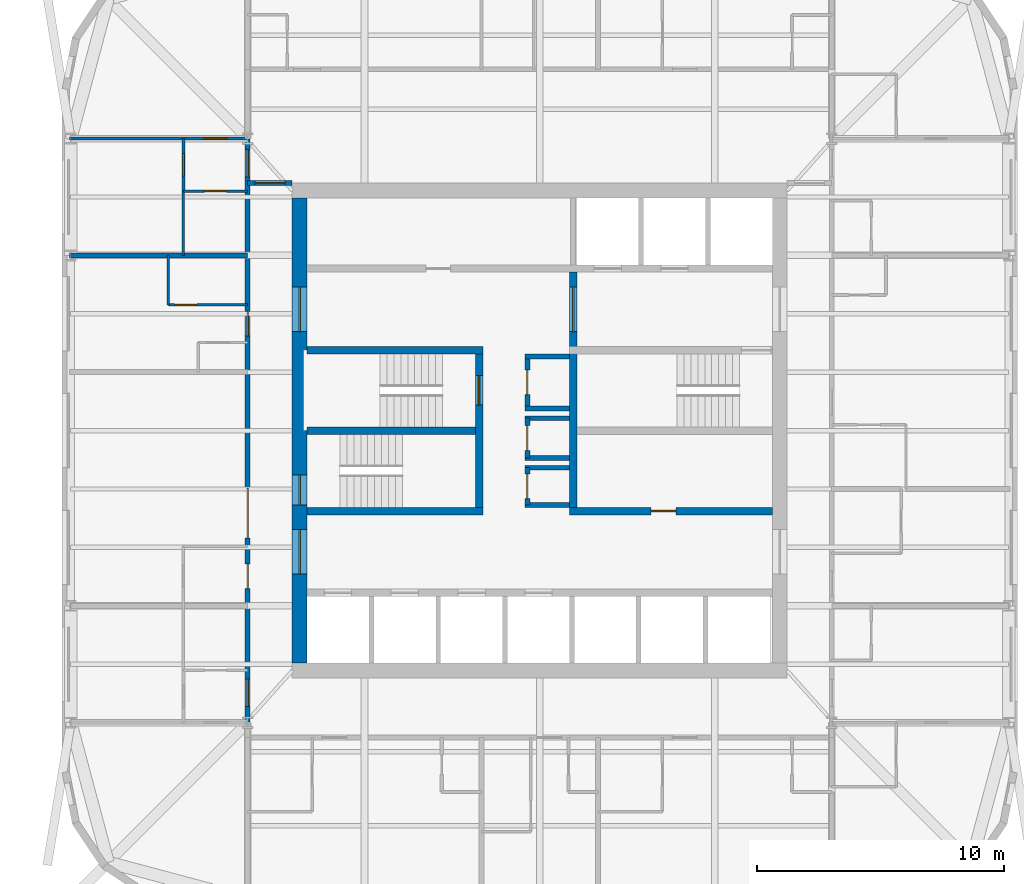
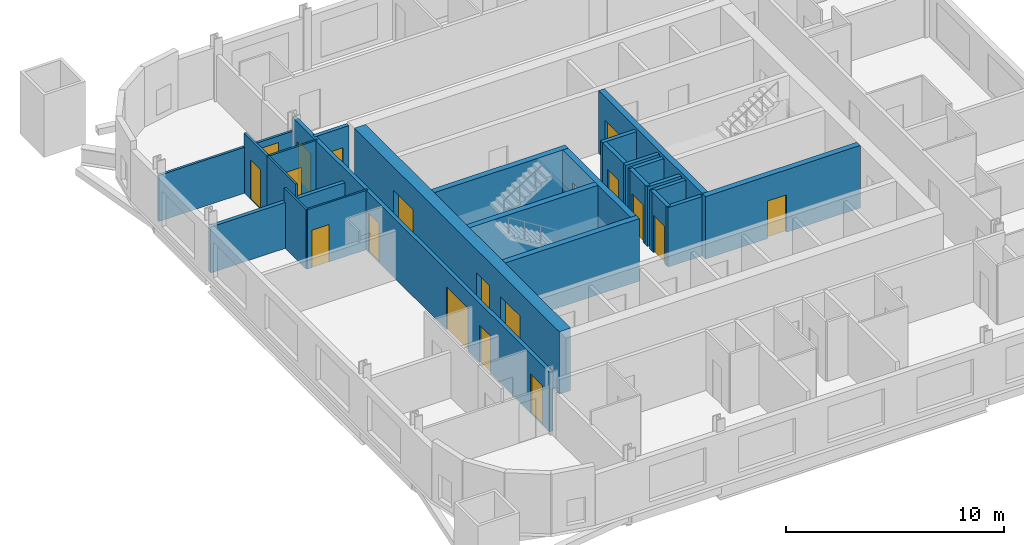
# One storey, part 4 of 8: 25 walls, 19 doors, 19 openings.
"""IFC4 building model written with IfcOpenShell, lengths in metres."""

from ifc_helpers import new_model, si_unit, direction, frame, frame_2d, origin, place, context, subcontext, project, spatial, rectangle, extrude, material, layer, layer_set, type_object, element, fill, save


model = new_model("IFC4")

# Units and contexts
model_context = context("Model", 3, precision=1e-05, world=origin(), true_north=direction((0.0, 1.0)))
body_context = subcontext(model_context, "Body", "Model", "MODEL_VIEW")
ifc_project = project(units=[si_unit("LENGTHUNIT", "METRE"), si_unit("AREAUNIT", "SQUARE_METRE"), si_unit("VOLUMEUNIT", "CUBIC_METRE"), si_unit("PLANEANGLEUNIT", "RADIAN"), si_unit("MASSUNIT", "GRAM", prefix="KILO")], contexts=[model_context])

# Site, building, storey
site_placement = place(None, origin())
site = spatial("IfcSite", under=ifc_project, at=site_placement, CompositionType="ELEMENT")
building_placement = place(site_placement, origin())
building = spatial("IfcBuilding", under=site, at=building_placement, Name="Turquesa Mirador Hotel Tower", CompositionType="ELEMENT")
storey_placement = place(building_placement, frame((0.0, 0.0, 165.300048828125)))
storey = spatial("IfcBuildingStorey", under=building, at=storey_placement, Name="L44", CompositionType="ELEMENT", Elevation=165.300048828125)

# Wall, opening, door
ifc_material_1 = material(Name="Gypsum board on steel studs", Category="steel")
ifc_layer_1 = layer(ifc_material_1, 0.10009765625)
ifc_layer_set_1 = layer_set([ifc_layer_1], Name="BATHROOM WALL 100")
wall_type_1 = type_object("IfcWallType", Name="BATHROOM WALL 100", PredefinedType="PARTITIONING", material=ifc_layer_set_1)
wall_1_placement = place(storey_placement, frame((40.0, 50.080078125, 0.0), z_axis=(0.0, 0.0, 1.0), x_axis=(1.0, 0.0, 0.0)))
wall_1 = element("IfcWall", 1, at=wall_1_placement, inside=storey, type_object=wall_type_1, Name="Partition L44 033", PredefinedType="PARTITIONING", context=body_context, shape_type="SweptSolid", body=[
    extrude(rectangle(XDim=3.199951171875, YDim=0.10009765625, at=frame_2d((1.60009765625, 0.0))), origin(), (0.0, 0.0, 1.0), 3.329833984375),
])
opening_1_placement = place(wall_1_placement, frame((0.25, 0.0, 0.0)))
opening_1 = element("IfcOpeningElement", 2, at=opening_1_placement, cuts=wall_1, Name="Opening D02", PredefinedType="OPENING", context=body_context, shape_type="SweptSolid", body=[
    extrude(rectangle(XDim=0.89990234375, YDim=2.10009765625, at=frame_2d((0.449951171875, 1.050048828125))), frame((0.0, 0.06005859375, 0.0), z_axis=(0.0, -1.0, 0.0), x_axis=(1.0, 0.0, 0.0)), (0.0, 0.0, 1.0), 0.1201171875),
])
ifc_material_2 = material(Name="Timber veneered door", Category="wood")
door_type_1 = type_object("IfcDoorType", Name="DOOR 900X2100 EN-SUITE", OperationType="SINGLE_SWING_RIGHT", PredefinedType="DOOR", material=ifc_material_2)
door_1_placement = place(opening_1_placement, origin())
door_1 = element("IfcDoor", 3, at=door_1_placement, inside=storey, type_object=door_type_1, Name="Door 4408B", OperationType="SINGLE_SWING_RIGHT", OverallHeight=2.10009765625, OverallWidth=0.89990234375, PredefinedType="DOOR", context=body_context, shape_type="SweptSolid", body=[
    extrude(rectangle(XDim=0.89990234375, YDim=2.10009765625, at=frame_2d((0.449951171875, 1.050048828125))), frame((0.0, 0.02490234375, 0.0), z_axis=(0.0, -1.0, 0.0), x_axis=(1.0, 0.0, 0.0)), (0.0, 0.0, 1.0), 0.050048828125),
])
fill(opening_1, door_1)

wall_2_placement = place(storey_placement, frame((40.60009765625, 54.679931640625, 0.0), z_axis=(0.0, 0.0, 1.0), x_axis=(1.0, 0.0, 0.0)))
wall_2 = element("IfcWall", 4, at=wall_2_placement, inside=storey, type_object=wall_type_1, Name="Partition L44 038", PredefinedType="PARTITIONING", context=body_context, shape_type="SweptSolid", body=[
    extrude(rectangle(XDim=2.599853515625, YDim=0.10009765625, at=frame_2d((1.2998046875, 0.0))), origin(), (0.0, 0.0, 1.0), 3.329833984375),
])
opening_2_placement = place(wall_2_placement, frame((0.85009765625, 0.0, 0.0)))
opening_2 = element("IfcOpeningElement", 5, at=opening_2_placement, cuts=wall_2, Name="Opening D02", PredefinedType="OPENING", context=body_context, shape_type="SweptSolid", body=[
    extrude(rectangle(XDim=0.89990234375, YDim=2.10009765625, at=frame_2d((0.449951171875, 1.050048828125))), frame((0.0, 0.06005859375, 0.0), z_axis=(0.0, -1.0, 0.0), x_axis=(1.0, 0.0, 0.0)), (0.0, 0.0, 1.0), 0.1201171875),
])
door_2_placement = place(opening_2_placement, origin())
door_2 = element("IfcDoor", 6, at=door_2_placement, inside=storey, type_object=door_type_1, Name="Door 4410B", OperationType="SINGLE_SWING_RIGHT", OverallHeight=2.10009765625, OverallWidth=0.89990234375, PredefinedType="DOOR", context=body_context, shape_type="SweptSolid", body=[
    extrude(rectangle(XDim=0.89990234375, YDim=2.10009765625, at=frame_2d((0.449951171875, 1.050048828125))), frame((0.0, 0.02490234375, 0.0), z_axis=(0.0, -1.0, 0.0), x_axis=(1.0, 0.0, 0.0)), (0.0, 0.0, 1.0), 0.050048828125),
])
fill(opening_2, door_2)

# Walls
wall_3_placement = place(storey_placement, frame((40.60009765625, 52.080078125, 0.0), z_axis=(0.0, 0.0, 1.0), x_axis=(0.0, 1.0, 0.0)))
element("IfcWall", 7, at=wall_3_placement, inside=storey, type_object=wall_type_1, Name="Partition L44 047", PredefinedType="PARTITIONING", context=body_context, shape_type="SweptSolid", body=[
    extrude(rectangle(XDim=2.599853515625, YDim=0.10009765625, at=frame_2d((1.2998046875, 0.0))), origin(), (0.0, 0.0, 1.0), 3.329833984375),
])
wall_4_placement = place(storey_placement, frame((40.0, 50.080078125, 0.0), z_axis=(0.0, 0.0, 1.0), x_axis=(0.0, 1.0, 0.0)))
element("IfcWall", 8, at=wall_4_placement, inside=storey, type_object=wall_type_1, Name="Partition L44 050", PredefinedType="PARTITIONING", context=body_context, shape_type="SweptSolid", body=[
    extrude(rectangle(XDim=2.0, YDim=0.10009765625, at=frame_2d((1.0, 0.0))), origin(), (0.0, 0.0, 1.0), 3.329833984375),
])
ifc_material_3 = material(Name="Concrete C50/60", Category="concrete")
ifc_layer_2 = layer(ifc_material_3, 0.300048828125)
ifc_layer_set_2 = layer_set([ifc_layer_2], Name="CORE INNER WALL 300")
wall_type_2 = type_object("IfcWallType", Name="CORE INNER WALL 300", PredefinedType="SHEAR", material=ifc_layer_set_2)
for number, where, z_axis, x_axis, name in (
    (9, (45.60009765625, 48.25, 0.0), (0.0, 0.0, 1.0), (1.0, 0.0, 0.0), "Core wall MN-W"),
    (10, (45.60009765625, 41.75, 0.0), (0.0, 0.0, 1.0), (1.0, 0.0, 0.0), "Core wall MS-W"),
):
    element("IfcWall", number, at=place(storey_placement, frame(where, z_axis=z_axis, x_axis=x_axis)), inside=storey, type_object=wall_type_2, Name=name, PredefinedType="SHEAR", context=body_context, shape_type="SweptSolid", body=[
        extrude(rectangle(XDim=7.099853515625, YDim=0.300048828125, at=frame_2d((3.5498046875, 0.0))), origin(), (0.0, 0.0, 1.0), 3.5),
    ])

# Wall, opening, door
wall_5_placement = place(storey_placement, frame((56.199951171875, 41.75, 0.0), z_axis=(0.0, 0.0, 1.0), x_axis=(1.0, 0.0, 0.0)))
wall_5 = element("IfcWall", 11, at=wall_5_placement, inside=storey, type_object=wall_type_2, Name="Core wall MS-E", PredefinedType="SHEAR", context=body_context, shape_type="SweptSolid", body=[
    extrude(rectangle(XDim=8.199951171875, YDim=0.300048828125, at=frame_2d((4.10009765625, 0.0))), origin(), (0.0, 0.0, 1.0), 3.5),
])
opening_3_placement = place(wall_5_placement, frame((3.300048828125, 0.0, 0.0)))
opening_3 = element("IfcOpeningElement", 12, at=opening_3_placement, cuts=wall_5, Name="Opening D05", PredefinedType="OPENING", context=body_context, shape_type="SweptSolid", body=[
    extrude(rectangle(XDim=1.0, YDim=2.10009765625, at=frame_2d((0.5, 1.050048828125))), frame((0.0, 0.159912109375, 0.0), z_axis=(0.0, -1.0, 0.0), x_axis=(1.0, 0.0, 0.0)), (0.0, 0.0, 1.0), 0.320068359375),
])
ifc_material_4 = material(Name="Steel fire door", Category="steel")
door_type_2 = type_object("IfcDoorType", Name="DOOR 1000X2100 SERVICE", OperationType="SINGLE_SWING_LEFT", PredefinedType="DOOR", material=ifc_material_4)
door_3_placement = place(opening_3_placement, origin())
door_3 = element("IfcDoor", 13, at=door_3_placement, inside=storey, type_object=door_type_2, Name="Housekeeping room door", OperationType="SINGLE_SWING_LEFT", OverallHeight=2.10009765625, OverallWidth=1.0, PredefinedType="DOOR", context=body_context, shape_type="SweptSolid", body=[
    extrude(rectangle(XDim=1.0, YDim=2.10009765625, at=frame_2d((0.5, 1.050048828125))), frame((0.0, 0.02490234375, 0.0), z_axis=(0.0, -1.0, 0.0), x_axis=(1.0, 0.0, 0.0)), (0.0, 0.0, 1.0), 0.050048828125),
])
fill(opening_3, door_3)

wall_6_placement = place(storey_placement, frame((52.550048828125, 41.89990234375, 0.0), z_axis=(0.0, 0.0, 1.0), x_axis=(0.0, 1.0, 0.0)))
wall_6 = element("IfcWall", 14, at=wall_6_placement, inside=storey, type_object=wall_type_2, Name="Core wall PW", PredefinedType="SHEAR", context=body_context, shape_type="SweptSolid", body=[
    extrude(rectangle(XDim=6.2001953125, YDim=0.300048828125, at=frame_2d((3.10009765625, 0.0))), origin(), (0.0, 0.0, 1.0), 3.5),
])
opening_4_placement = place(wall_6_placement, frame((4.125, 0.0, 0.0)))
opening_4 = element("IfcOpeningElement", 15, at=opening_4_placement, cuts=wall_6, Name="Opening D03", PredefinedType="OPENING", context=body_context, shape_type="SweptSolid", body=[
    extrude(rectangle(XDim=1.199951171875, YDim=2.199951171875, at=frame_2d((0.60009765625, 1.10009765625))), frame((0.0, 0.159912109375, 0.0), z_axis=(0.0, -1.0, 0.0), x_axis=(1.0, 0.0, 0.0)), (0.0, 0.0, 1.0), 0.320068359375),
])
ifc_material_5 = material(Name="Steel fire door", Category="steel")
door_type_3 = type_object("IfcDoorType", Name="DOOR 1200X2200 STAIR", OperationType="SINGLE_SWING_LEFT", PredefinedType="DOOR", material=ifc_material_5)
door_4_placement = place(opening_4_placement, origin())
door_4 = element("IfcDoor", 16, at=door_4_placement, inside=storey, type_object=door_type_3, Name="Stair ST1 door", OperationType="SINGLE_SWING_LEFT", OverallHeight=2.199951171875, OverallWidth=1.199951171875, PredefinedType="DOOR", context=body_context, shape_type="SweptSolid", body=[
    extrude(rectangle(XDim=1.199951171875, YDim=2.199951171875, at=frame_2d((0.60009765625, 1.10009765625))), frame((0.0, 0.02490234375, 0.0), z_axis=(0.0, -1.0, 0.0), x_axis=(1.0, 0.0, 0.0)), (0.0, 0.0, 1.0), 0.050048828125),
])
fill(opening_4, door_4)

wall_7_placement = place(storey_placement, frame((56.35009765625, 41.89990234375, 0.0), z_axis=(0.0, 0.0, 1.0), x_axis=(0.0, 1.0, 0.0)))
wall_7 = element("IfcWall", 17, at=wall_7_placement, inside=storey, type_object=wall_type_2, Name="Core wall PE", PredefinedType="SHEAR", context=body_context, shape_type="SweptSolid", body=[
    extrude(rectangle(XDim=9.5, YDim=0.300048828125, at=frame_2d((4.75, 0.0))), origin(), (0.0, 0.0, 1.0), 3.5),
])
opening_5_placement = place(wall_7_placement, frame((7.10009765625, 0.0, 0.0)))
opening_5 = element("IfcOpeningElement", 18, at=opening_5_placement, cuts=wall_7, Name="Opening D04", PredefinedType="OPENING", context=body_context, shape_type="SweptSolid", body=[
    extrude(rectangle(XDim=1.800048828125, YDim=2.199951171875, at=frame_2d((0.89990234375, 1.10009765625))), frame((0.0, 0.159912109375, 0.0), z_axis=(0.0, -1.0, 0.0), x_axis=(1.0, 0.0, 0.0)), (0.0, 0.0, 1.0), 0.320068359375),
])
ifc_material_6 = material(Name="Steel fire door pair", Category="steel")
door_type_4 = type_object("IfcDoorType", Name="DOOR 1800X2200 PAIR", OperationType="DOUBLE_DOOR_SINGLE_SWING", PredefinedType="DOOR", material=ifc_material_6)
door_5_placement = place(opening_5_placement, origin())
door_5 = element("IfcDoor", 19, at=door_5_placement, inside=storey, type_object=door_type_4, Name="Firefighting lobby inner door", OperationType="DOUBLE_DOOR_SINGLE_SWING", OverallHeight=2.199951171875, OverallWidth=1.800048828125, PredefinedType="DOOR", context=body_context, shape_type="SweptSolid", body=[
    extrude(rectangle(XDim=1.800048828125, YDim=2.199951171875, at=frame_2d((0.89990234375, 1.10009765625))), frame((0.0, 0.02490234375, 0.0), z_axis=(0.0, -1.0, 0.0), x_axis=(1.0, 0.0, 0.0)), (0.0, 0.0, 1.0), 0.050048828125),
])
fill(opening_5, door_5)

# Wall
wall_8_placement = place(storey_placement, frame((45.60009765625, 45.0, 0.0), z_axis=(0.0, 0.0, 1.0), x_axis=(1.0, 0.0, 0.0)))
element("IfcWall", 20, at=wall_8_placement, inside=storey, type_object=wall_type_2, Name="Core wall M0-W", PredefinedType="SHEAR", context=body_context, shape_type="SweptSolid", body=[
    extrude(rectangle(XDim=6.7998046875, YDim=0.300048828125, at=frame_2d((3.39990234375, 0.0))), origin(), (0.0, 0.0, 1.0), 3.5),
])

# Wall, openings, doors
ifc_material_7 = material(Name="Concrete C50/60", Category="concrete")
ifc_layer_3 = layer(ifc_material_7, 0.60009765625)
ifc_layer_set_3 = layer_set([ifc_layer_3], Name="CORE WALL 600")
wall_type_3 = type_object("IfcWallType", Name="CORE WALL 600", PredefinedType="SHEAR", material=ifc_layer_set_3)
wall_9_placement = place(storey_placement, frame((45.300048828125, 35.60009765625, 0.0), z_axis=(0.0, 0.0, 1.0), x_axis=(0.0, 1.0, 0.0)))
wall_9 = element("IfcWall", 21, at=wall_9_placement, inside=storey, type_object=wall_type_3, Name="Core wall W", PredefinedType="SHEAR", context=body_context, shape_type="SweptSolid", body=[
    extrude(rectangle(XDim=18.7998046875, YDim=0.60009765625, at=frame_2d((9.39990234375, 0.0))), origin(), (0.0, 0.0, 1.0), 3.5),
])
opening_6_placement = place(wall_9_placement, frame((13.39990234375, 0.0, 0.0)))
opening_6 = element("IfcOpeningElement", 22, at=opening_6_placement, cuts=wall_9, Name="Opening D04", PredefinedType="OPENING", context=body_context, shape_type="SweptSolid", body=[
    extrude(rectangle(XDim=1.800048828125, YDim=2.199951171875, at=frame_2d((0.89990234375, 1.10009765625))), frame((0.0, 0.31005859375, 0.0), z_axis=(0.0, -1.0, 0.0), x_axis=(1.0, 0.0, 0.0)), (0.0, 0.0, 1.0), 0.6201171875),
])
opening_7_placement = place(wall_9_placement, frame((3.60009765625, 0.0, 0.0)))
opening_7 = element("IfcOpeningElement", 23, at=opening_7_placement, cuts=wall_9, Name="Opening D04", PredefinedType="OPENING", context=body_context, shape_type="SweptSolid", body=[
    extrude(rectangle(XDim=1.800048828125, YDim=2.199951171875, at=frame_2d((0.89990234375, 1.10009765625))), frame((0.0, 0.31005859375, 0.0), z_axis=(0.0, -1.0, 0.0), x_axis=(1.0, 0.0, 0.0)), (0.0, 0.0, 1.0), 0.6201171875),
])
opening_8_placement = place(wall_9_placement, frame((6.39990234375, 0.0, 0.0)))
opening_8 = element("IfcOpeningElement", 24, at=opening_8_placement, cuts=wall_9, Name="Opening D03", PredefinedType="OPENING", context=body_context, shape_type="SweptSolid", body=[
    extrude(rectangle(XDim=1.199951171875, YDim=2.199951171875, at=frame_2d((0.60009765625, 1.10009765625))), frame((0.0, 0.31005859375, 0.0), z_axis=(0.0, -1.0, 0.0), x_axis=(1.0, 0.0, 0.0)), (0.0, 0.0, 1.0), 0.6201171875),
])
door_6_placement = place(opening_8_placement, origin())
door_6 = element("IfcDoor", 25, at=door_6_placement, inside=storey, type_object=door_type_3, Name="Stair ST2 door", OperationType="SINGLE_SWING_LEFT", OverallHeight=2.199951171875, OverallWidth=1.199951171875, PredefinedType="DOOR", context=body_context, shape_type="SweptSolid", body=[
    extrude(rectangle(XDim=1.199951171875, YDim=2.199951171875, at=frame_2d((0.60009765625, 1.10009765625))), frame((0.0, 0.02490234375, 0.0), z_axis=(0.0, -1.0, 0.0), x_axis=(1.0, 0.0, 0.0)), (0.0, 0.0, 1.0), 0.050048828125),
])
fill(opening_8, door_6)
door_7_placement = place(opening_6_placement, origin())
door_7 = element("IfcDoor", 26, at=door_7_placement, inside=storey, type_object=door_type_4, Name="North lift lobby door", OperationType="DOUBLE_DOOR_SINGLE_SWING", OverallHeight=2.199951171875, OverallWidth=1.800048828125, PredefinedType="DOOR", context=body_context, shape_type="SweptSolid", body=[
    extrude(rectangle(XDim=1.800048828125, YDim=2.199951171875, at=frame_2d((0.89990234375, 1.10009765625))), frame((0.0, 0.02490234375, 0.0), z_axis=(0.0, -1.0, 0.0), x_axis=(1.0, 0.0, 0.0)), (0.0, 0.0, 1.0), 0.050048828125),
])
fill(opening_6, door_7)
door_8_placement = place(opening_7_placement, origin())
door_8 = element("IfcDoor", 27, at=door_8_placement, inside=storey, type_object=door_type_4, Name="South lift lobby door", OperationType="DOUBLE_DOOR_SINGLE_SWING", OverallHeight=2.199951171875, OverallWidth=1.800048828125, PredefinedType="DOOR", context=body_context, shape_type="SweptSolid", body=[
    extrude(rectangle(XDim=1.800048828125, YDim=2.199951171875, at=frame_2d((0.89990234375, 1.10009765625))), frame((0.0, 0.02490234375, 0.0), z_axis=(0.0, -1.0, 0.0), x_axis=(1.0, 0.0, 0.0)), (0.0, 0.0, 1.0), 0.050048828125),
])
fill(opening_7, door_8)

# Wall, opening, door
ifc_material_8 = material(Name="Fire-rated gypsum board on steel studs", Category="steel")
ifc_layer_4 = layer(ifc_material_8, 0.199951171875)
ifc_layer_set_4 = layer_set([ifc_layer_4], Name="CORRIDOR WALL 200")
wall_type_4 = type_object("IfcWallType", Name="CORRIDOR WALL 200", PredefinedType="PARTITIONING", material=ifc_layer_set_4)
wall_10_placement = place(storey_placement, frame((43.199951171875, 55.0, 0.0), z_axis=(0.0, 0.0, 1.0), x_axis=(1.0, 0.0, 0.0)))
wall_10 = element("IfcWall", 28, at=wall_10_placement, inside=storey, type_object=wall_type_4, Name="Partition L44 021", PredefinedType="PARTITIONING", context=body_context, shape_type="SweptSolid", body=[
    extrude(rectangle(XDim=1.800048828125, YDim=0.199951171875, at=frame_2d((0.89990234375, 0.0))), origin(), (0.0, 0.0, 1.0), 3.329833984375),
])
opening_9_placement = place(wall_10_placement, frame((0.300048828125, 0.0, 0.0)))
opening_9 = element("IfcOpeningElement", 29, at=opening_9_placement, cuts=wall_10, Name="Opening D19", PredefinedType="OPENING", context=body_context, shape_type="SweptSolid", body=[
    extrude(rectangle(XDim=1.199951171875, YDim=2.199951171875, at=frame_2d((0.60009765625, 1.10009765625))), frame((0.0, 0.10986328125, 0.0), z_axis=(0.0, -1.0, 0.0), x_axis=(1.0, 0.0, 0.0)), (0.0, 0.0, 1.0), 0.219970703125),
])
ifc_material_9 = material(Name="Steel glazed fire door", Category="steel")
door_type_5 = type_object("IfcDoorType", Name="DOOR 1200X2200 FIRE DOOR GLAZED", OperationType="SINGLE_SWING_LEFT", PredefinedType="DOOR", material=ifc_material_9)
door_9_placement = place(opening_9_placement, origin())
door_9 = element("IfcDoor", 30, at=door_9_placement, inside=storey, type_object=door_type_5, Name="Door L44-C03", OperationType="SINGLE_SWING_LEFT", OverallHeight=2.199951171875, OverallWidth=1.199951171875, PredefinedType="DOOR", context=body_context, shape_type="SweptSolid", body=[
    extrude(rectangle(XDim=1.199951171875, YDim=2.199951171875, at=frame_2d((0.60009765625, 1.10009765625))), frame((0.0, 0.02490234375, 0.0), z_axis=(0.0, -1.0, 0.0), x_axis=(1.0, 0.0, 0.0)), (0.0, 0.0, 1.0), 0.050048828125),
])
fill(opening_9, door_9)

# Wall, openings, doors
wall_11_placement = place(storey_placement, frame((43.199951171875, 33.219970703125, 0.0), z_axis=(0.0, 0.0, 1.0), x_axis=(0.0, 1.0, 0.0)))
wall_11 = element("IfcWall", 31, at=wall_11_placement, inside=storey, type_object=wall_type_4, Name="Partition L44 042", PredefinedType="PARTITIONING", context=body_context, shape_type="SweptSolid", body=[
    extrude(rectangle(XDim=23.56005859375, YDim=0.199951171875, at=frame_2d((11.780029296875, 0.0))), origin(), (0.0, 0.0, 1.0), 3.329833984375),
])
opening_10_placement = place(wall_11_placement, frame((15.60009765625, 0.0, 0.0)))
opening_10 = element("IfcOpeningElement", 32, at=opening_10_placement, cuts=wall_11, Name="Opening D01", PredefinedType="OPENING", context=body_context, shape_type="SweptSolid", body=[
    extrude(rectangle(XDim=1.0, YDim=2.199951171875, at=frame_2d((0.5, 1.10009765625))), frame((0.0, 0.10986328125, 0.0), z_axis=(0.0, -1.0, 0.0), x_axis=(1.0, 0.0, 0.0)), (0.0, 0.0, 1.0), 0.219970703125),
])
opening_11_placement = place(wall_11_placement, frame((22.030029296875, 0.0, 0.0)))
opening_11 = element("IfcOpeningElement", 33, at=opening_11_placement, cuts=wall_11, Name="Opening D15", PredefinedType="OPENING", context=body_context, shape_type="SweptSolid", body=[
    extrude(rectangle(XDim=1.10009765625, YDim=2.199951171875, at=frame_2d((0.550048828125, 1.10009765625))), frame((0.0, 0.10986328125, 0.0), z_axis=(0.0, -1.0, 0.0), x_axis=(1.0, 0.0, 0.0)), (0.0, 0.0, 1.0), 0.219970703125),
])
opening_12_placement = place(wall_11_placement, frame((0.639892578125, 0.0, 0.0)))
opening_12 = element("IfcOpeningElement", 34, at=opening_12_placement, cuts=wall_11, Name="Opening D15", PredefinedType="OPENING", context=body_context, shape_type="SweptSolid", body=[
    extrude(rectangle(XDim=1.10009765625, YDim=2.199951171875, at=frame_2d((0.550048828125, 1.10009765625))), frame((0.0, 0.10986328125, 0.0), z_axis=(0.0, -1.0, 0.0), x_axis=(1.0, 0.0, 0.0)), (0.0, 0.0, 1.0), 0.219970703125),
])
opening_13_placement = place(wall_11_placement, frame((7.449951171875, 0.0, 0.0)))
opening_13 = element("IfcOpeningElement", 35, at=opening_13_placement, cuts=wall_11, Name="Opening D18", PredefinedType="OPENING", context=body_context, shape_type="SweptSolid", body=[
    extrude(rectangle(XDim=2.0, YDim=2.39990234375, at=frame_2d((1.0, 1.199951171875))), frame((0.0, 0.10986328125, 0.0), z_axis=(0.0, -1.0, 0.0), x_axis=(1.0, 0.0, 0.0)), (0.0, 0.0, 1.0), 0.219970703125),
])
opening_14_placement = place(wall_11_placement, frame((5.39990234375, 0.0, 0.0)))
opening_14 = element("IfcOpeningElement", 36, at=opening_14_placement, cuts=wall_11, Name="Opening D05", PredefinedType="OPENING", context=body_context, shape_type="SweptSolid", body=[
    extrude(rectangle(XDim=1.0, YDim=2.10009765625, at=frame_2d((0.5, 1.050048828125))), frame((0.0, 0.10986328125, 0.0), z_axis=(0.0, -1.0, 0.0), x_axis=(1.0, 0.0, 0.0)), (0.0, 0.0, 1.0), 0.219970703125),
])
door_10_placement = place(opening_14_placement, origin())
door_10 = element("IfcDoor", 37, at=door_10_placement, inside=storey, type_object=door_type_2, Name="Door L44-LGP-1", OperationType="SINGLE_SWING_LEFT", OverallHeight=2.10009765625, OverallWidth=1.0, PredefinedType="DOOR", context=body_context, shape_type="SweptSolid", body=[
    extrude(rectangle(XDim=1.0, YDim=2.10009765625, at=frame_2d((0.5, 1.050048828125))), frame((0.0, 0.02490234375, 0.0), z_axis=(0.0, -1.0, 0.0), x_axis=(1.0, 0.0, 0.0)), (0.0, 0.0, 1.0), 0.050048828125),
])
fill(opening_14, door_10)
ifc_material_10 = material(Name="Timber veneered fire door", Category="wood")
door_type_6 = type_object("IfcDoorType", Name="DOOR 1000X2200 GUEST ENTRY", OperationType="SINGLE_SWING_LEFT", PredefinedType="DOOR", material=ifc_material_10)
door_11_placement = place(opening_10_placement, origin())
door_11 = element("IfcDoor", 38, at=door_11_placement, inside=storey, type_object=door_type_6, Name="Door 4408", OperationType="SINGLE_SWING_LEFT", OverallHeight=2.199951171875, OverallWidth=1.0, PredefinedType="DOOR", context=body_context, shape_type="SweptSolid", body=[
    extrude(rectangle(XDim=1.0, YDim=2.199951171875, at=frame_2d((0.5, 1.10009765625))), frame((0.0, 0.02490234375, 0.0), z_axis=(0.0, -1.0, 0.0), x_axis=(1.0, 0.0, 0.0)), (0.0, 0.0, 1.0), 0.050048828125),
])
fill(opening_10, door_11)
ifc_material_11 = material(Name="Timber veneered fire door", Category="wood")
door_type_7 = type_object("IfcDoorType", Name="DOOR 1100X2200 SUITE ENTRY", OperationType="SINGLE_SWING_LEFT", PredefinedType="DOOR", material=ifc_material_11)
door_12_placement = place(opening_11_placement, origin())
door_12 = element("IfcDoor", 39, at=door_12_placement, inside=storey, type_object=door_type_7, Name="Door 4410H", OperationType="SINGLE_SWING_LEFT", OverallHeight=2.199951171875, OverallWidth=1.10009765625, PredefinedType="DOOR", context=body_context, shape_type="SweptSolid", body=[
    extrude(rectangle(XDim=1.10009765625, YDim=2.199951171875, at=frame_2d((0.550048828125, 1.10009765625))), frame((0.0, 0.02490234375, 0.0), z_axis=(0.0, -1.0, 0.0), x_axis=(1.0, 0.0, 0.0)), (0.0, 0.0, 1.0), 0.050048828125),
])
fill(opening_11, door_12)
door_13_placement = place(opening_12_placement, origin())
door_13 = element("IfcDoor", 40, at=door_13_placement, inside=storey, type_object=door_type_7, Name="Door 4411H", OperationType="SINGLE_SWING_LEFT", OverallHeight=2.199951171875, OverallWidth=1.10009765625, PredefinedType="DOOR", context=body_context, shape_type="SweptSolid", body=[
    extrude(rectangle(XDim=1.10009765625, YDim=2.199951171875, at=frame_2d((0.550048828125, 1.10009765625))), frame((0.0, 0.02490234375, 0.0), z_axis=(0.0, -1.0, 0.0), x_axis=(1.0, 0.0, 0.0)), (0.0, 0.0, 1.0), 0.050048828125),
])
fill(opening_12, door_13)
ifc_material_12 = material(Name="Timber veneered fire door pair", Category="wood")
door_type_8 = type_object("IfcDoorType", Name="DOOR 2000X2400 LOUNGE PAIR", OperationType="DOUBLE_DOOR_SINGLE_SWING", PredefinedType="DOOR", material=ifc_material_12)
door_14_placement = place(opening_13_placement, origin())
door_14 = element("IfcDoor", 41, at=door_14_placement, inside=storey, type_object=door_type_8, Name="Door L44-LG", OperationType="DOUBLE_DOOR_SINGLE_SWING", OverallHeight=2.39990234375, OverallWidth=2.0, PredefinedType="DOOR", context=body_context, shape_type="SweptSolid", body=[
    extrude(rectangle(XDim=2.0, YDim=2.39990234375, at=frame_2d((1.0, 1.199951171875))), frame((0.0, 0.02490234375, 0.0), z_axis=(0.0, -1.0, 0.0), x_axis=(1.0, 0.0, 0.0)), (0.0, 0.0, 1.0), 0.050048828125),
])
fill(opening_13, door_14)

# Wall, opening, door
ifc_material_13 = material(Name="Fire-rated gypsum board on steel studs", Category="steel")
ifc_layer_5 = layer(ifc_material_13, 0.199951171875)
ifc_layer_set_5 = layer_set([ifc_layer_5], Name="FIRE PARTITION 200")
wall_type_5 = type_object("IfcWallType", Name="FIRE PARTITION 200", PredefinedType="PARTITIONING", material=ifc_layer_set_5)
wall_12_placement = place(storey_placement, frame((54.5, 42.0, 0.0), z_axis=(0.0, 0.0, 1.0), x_axis=(0.0, 1.0, 0.0)))
wall_12 = element("IfcWall", 42, at=wall_12_placement, inside=storey, type_object=wall_type_5, Name="Partition L44 BP W", PredefinedType="PARTITIONING", context=body_context, shape_type="SweptSolid", body=[
    extrude(rectangle(XDim=1.5, YDim=0.199951171875, at=frame_2d((0.75, 0.0))), origin(), (0.0, 0.0, 1.0), 3.329833984375),
])
opening_15_placement = place(wall_12_placement, frame((0.25, 0.0, 0.0)))
opening_15 = element("IfcOpeningElement", 43, at=opening_15_placement, cuts=wall_12, Name="Opening D05", PredefinedType="OPENING", context=body_context, shape_type="SweptSolid", body=[
    extrude(rectangle(XDim=1.0, YDim=2.10009765625, at=frame_2d((0.5, 1.050048828125))), frame((0.0, 0.10986328125, 0.0), z_axis=(0.0, -1.0, 0.0), x_axis=(1.0, 0.0, 0.0)), (0.0, 0.0, 1.0), 0.219970703125),
])
door_15_placement = place(opening_15_placement, origin())
door_15 = element("IfcDoor", 44, at=door_15_placement, inside=storey, type_object=door_type_2, Name="Lounge pantry door", OperationType="SINGLE_SWING_LEFT", OverallHeight=2.10009765625, OverallWidth=1.0, PredefinedType="DOOR", context=body_context, shape_type="SweptSolid", body=[
    extrude(rectangle(XDim=1.0, YDim=2.10009765625, at=frame_2d((0.5, 1.050048828125))), frame((0.0, 0.02490234375, 0.0), z_axis=(0.0, -1.0, 0.0), x_axis=(1.0, 0.0, 0.0)), (0.0, 0.0, 1.0), 0.050048828125),
])
fill(opening_15, door_15)

# Walls
for number, where, z_axis, x_axis, name in (
    (45, (54.39990234375, 42.0, 0.0), (0.0, 0.0, 1.0), (1.0, 0.0, 0.0), "Partition L44 BP S"),
    (46, (54.39990234375, 43.5, 0.0), (0.0, 0.0, 1.0), (1.0, 0.0, 0.0), "Partition L44 BP N"),
):
    element("IfcWall", number, at=place(storey_placement, frame(where, z_axis=z_axis, x_axis=x_axis)), inside=storey, type_object=wall_type_5, Name=name, PredefinedType="PARTITIONING", context=body_context, shape_type="SweptSolid", body=[
        extrude(rectangle(XDim=1.800048828125, YDim=0.199951171875, at=frame_2d((0.89990234375, 0.0))), origin(), (0.0, 0.0, 1.0), 3.329833984375),
    ])

# Wall, opening, door
wall_13_placement = place(storey_placement, frame((54.5, 43.89990234375, 0.0), z_axis=(0.0, 0.0, 1.0), x_axis=(0.0, 1.0, 0.0)))
wall_13 = element("IfcWall", 47, at=wall_13_placement, inside=storey, type_object=wall_type_5, Name="Partition L44 SW W", PredefinedType="PARTITIONING", context=body_context, shape_type="SweptSolid", body=[
    extrude(rectangle(XDim=1.60009765625, YDim=0.199951171875, at=frame_2d((0.800048828125, 0.0))), origin(), (0.0, 0.0, 1.0), 3.329833984375),
])
opening_16_placement = place(wall_13_placement, frame((0.300048828125, 0.0, 0.0)))
opening_16 = element("IfcOpeningElement", 48, at=opening_16_placement, cuts=wall_13, Name="Opening D05", PredefinedType="OPENING", context=body_context, shape_type="SweptSolid", body=[
    extrude(rectangle(XDim=1.0, YDim=2.10009765625, at=frame_2d((0.5, 1.050048828125))), frame((0.0, 0.10986328125, 0.0), z_axis=(0.0, -1.0, 0.0), x_axis=(1.0, 0.0, 0.0)), (0.0, 0.0, 1.0), 0.219970703125),
])
door_16_placement = place(opening_16_placement, origin())
door_16 = element("IfcDoor", 49, at=door_16_placement, inside=storey, type_object=door_type_2, Name="Staff WC door", OperationType="SINGLE_SWING_LEFT", OverallHeight=2.10009765625, OverallWidth=1.0, PredefinedType="DOOR", context=body_context, shape_type="SweptSolid", body=[
    extrude(rectangle(XDim=1.0, YDim=2.10009765625, at=frame_2d((0.5, 1.050048828125))), frame((0.0, 0.02490234375, 0.0), z_axis=(0.0, -1.0, 0.0), x_axis=(1.0, 0.0, 0.0)), (0.0, 0.0, 1.0), 0.050048828125),
])
fill(opening_16, door_16)

# Walls
for number, where, z_axis, x_axis, name in (
    (50, (54.39990234375, 43.89990234375, 0.0), (0.0, 0.0, 1.0), (1.0, 0.0, 0.0), "Partition L44 SW S"),
    (51, (54.39990234375, 45.5, 0.0), (0.0, 0.0, 1.0), (1.0, 0.0, 0.0), "Partition L44 SW N"),
):
    element("IfcWall", number, at=place(storey_placement, frame(where, z_axis=z_axis, x_axis=x_axis)), inside=storey, type_object=wall_type_5, Name=name, PredefinedType="PARTITIONING", context=body_context, shape_type="SweptSolid", body=[
        extrude(rectangle(XDim=1.800048828125, YDim=0.199951171875, at=frame_2d((0.89990234375, 0.0))), origin(), (0.0, 0.0, 1.0), 3.329833984375),
    ])

# Wall, opening, door
wall_14_placement = place(storey_placement, frame((54.5, 45.89990234375, 0.0), z_axis=(0.0, 0.0, 1.0), x_axis=(0.0, 1.0, 0.0)))
wall_14 = element("IfcWall", 52, at=wall_14_placement, inside=storey, type_object=wall_type_5, Name="Partition L44 BO W", PredefinedType="PARTITIONING", context=body_context, shape_type="SweptSolid", body=[
    extrude(rectangle(XDim=2.10009765625, YDim=0.199951171875, at=frame_2d((1.050048828125, 0.0))), origin(), (0.0, 0.0, 1.0), 3.329833984375),
])
opening_17_placement = place(wall_14_placement, frame((0.550048828125, 0.0, 0.0)))
opening_17 = element("IfcOpeningElement", 53, at=opening_17_placement, cuts=wall_14, Name="Opening D05", PredefinedType="OPENING", context=body_context, shape_type="SweptSolid", body=[
    extrude(rectangle(XDim=1.0, YDim=2.10009765625, at=frame_2d((0.5, 1.050048828125))), frame((0.0, 0.10986328125, 0.0), z_axis=(0.0, -1.0, 0.0), x_axis=(1.0, 0.0, 0.0)), (0.0, 0.0, 1.0), 0.219970703125),
])
door_17_placement = place(opening_17_placement, origin())
door_17 = element("IfcDoor", 54, at=door_17_placement, inside=storey, type_object=door_type_2, Name="Butler's pantry door", OperationType="SINGLE_SWING_LEFT", OverallHeight=2.10009765625, OverallWidth=1.0, PredefinedType="DOOR", context=body_context, shape_type="SweptSolid", body=[
    extrude(rectangle(XDim=1.0, YDim=2.10009765625, at=frame_2d((0.5, 1.050048828125))), frame((0.0, 0.02490234375, 0.0), z_axis=(0.0, -1.0, 0.0), x_axis=(1.0, 0.0, 0.0)), (0.0, 0.0, 1.0), 0.050048828125),
])
fill(opening_17, door_17)

# Walls
for number, where, z_axis, x_axis, name in (
    (55, (54.39990234375, 45.89990234375, 0.0), (0.0, 0.0, 1.0), (1.0, 0.0, 0.0), "Partition L44 BO S"),
    (56, (54.39990234375, 48.0, 0.0), (0.0, 0.0, 1.0), (1.0, 0.0, 0.0), "Partition L44 BO N"),
):
    element("IfcWall", number, at=place(storey_placement, frame(where, z_axis=z_axis, x_axis=x_axis)), inside=storey, type_object=wall_type_5, Name=name, PredefinedType="PARTITIONING", context=body_context, shape_type="SweptSolid", body=[
        extrude(rectangle(XDim=1.800048828125, YDim=0.199951171875, at=frame_2d((0.89990234375, 0.0))), origin(), (0.0, 0.0, 1.0), 3.329833984375),
    ])
ifc_material_14 = material(Name="Fire-rated gypsum board on steel studs", Category="steel")
ifc_layer_6 = layer(ifc_material_14, 0.199951171875)
ifc_layer_set_6 = layer_set([ifc_layer_6], Name="PARTY WALL 200")
wall_type_6 = type_object("IfcWallType", Name="PARTY WALL 200", PredefinedType="PARTITIONING", material=ifc_layer_set_6)
wall_15_placement = place(storey_placement, frame((36.0, 52.080078125, 0.0), z_axis=(0.0, 0.0, 1.0), x_axis=(1.0, 0.0, 0.0)))
element("IfcWall", 57, at=wall_15_placement, inside=storey, type_object=wall_type_6, Name="Partition L44 035", PredefinedType="PARTITIONING", context=body_context, shape_type="SweptSolid", body=[
    extrude(rectangle(XDim=7.199951171875, YDim=0.199951171875, at=frame_2d((3.60009765625, 0.0))), origin(), (0.0, 0.0, 1.0), 2.572998046875),
])

# Wall, opening, door
ifc_material_15 = material(Name="Acoustic gypsum board on steel studs", Category="steel")
ifc_layer_7 = layer(ifc_material_15, 0.125)
ifc_layer_set_7 = layer_set([ifc_layer_7], Name="SUITE PARTITION 125")
wall_type_7 = type_object("IfcWallType", Name="SUITE PARTITION 125", PredefinedType="PARTITIONING", material=ifc_layer_set_7)
wall_16_placement = place(storey_placement, frame((36.0, 56.800048828125, 0.0), z_axis=(0.0, 0.0, 1.0), x_axis=(1.0, 0.0, 0.0)))
wall_16 = element("IfcWall", 58, at=wall_16_placement, inside=storey, type_object=wall_type_7, Name="Partition L44 024", PredefinedType="PARTITIONING", context=body_context, shape_type="SweptSolid", body=[
    extrude(rectangle(XDim=7.199951171875, YDim=0.125, at=frame_2d((3.60009765625, 0.0))), origin(), (0.0, 0.0, 1.0), 2.572998046875),
])
opening_18_placement = place(wall_16_placement, frame((5.449951171875, 0.0, 0.0)))
opening_18 = element("IfcOpeningElement", 59, at=opening_18_placement, cuts=wall_16, Name="Opening D17", PredefinedType="OPENING", context=body_context, shape_type="SweptSolid", body=[
    extrude(rectangle(XDim=0.89990234375, YDim=2.199951171875, at=frame_2d((0.449951171875, 1.10009765625))), frame((0.0, 0.072509765625, 0.0), z_axis=(0.0, -1.0, 0.0), x_axis=(1.0, 0.0, 0.0)), (0.0, 0.0, 1.0), 0.14501953125),
])
ifc_material_16 = material(Name="Timber veneered door", Category="wood")
door_type_9 = type_object("IfcDoorType", Name="DOOR 900X2200 SUITE INTERNAL", OperationType="SINGLE_SWING_LEFT", PredefinedType="DOOR", material=ifc_material_16)
door_18_placement = place(opening_18_placement, origin())
door_18 = element("IfcDoor", 60, at=door_18_placement, inside=storey, type_object=door_type_9, Name="Door 4410", OperationType="SINGLE_SWING_LEFT", OverallHeight=2.199951171875, OverallWidth=0.89990234375, PredefinedType="DOOR", context=body_context, shape_type="SweptSolid", body=[
    extrude(rectangle(XDim=0.89990234375, YDim=2.199951171875, at=frame_2d((0.449951171875, 1.10009765625))), frame((0.0, 0.02490234375, 0.0), z_axis=(0.0, -1.0, 0.0), x_axis=(1.0, 0.0, 0.0)), (0.0, 0.0, 1.0), 0.050048828125),
])
fill(opening_18, door_18)

wall_17_placement = place(storey_placement, frame((40.60009765625, 54.679931640625, 0.0), z_axis=(0.0, 0.0, 1.0), x_axis=(0.0, 1.0, 0.0)))
wall_17 = element("IfcWall", 61, at=wall_17_placement, inside=storey, type_object=wall_type_7, Name="Partition L44 049", PredefinedType="PARTITIONING", context=body_context, shape_type="SweptSolid", body=[
    extrude(rectangle(XDim=2.1201171875, YDim=0.125, at=frame_2d((1.06005859375, 0.0))), origin(), (0.0, 0.0, 1.0), 3.329833984375),
])
opening_19_placement = place(wall_17_placement, frame((0.610107421875, 0.0, 0.0)))
opening_19 = element("IfcOpeningElement", 62, at=opening_19_placement, cuts=wall_17, Name="Opening D17", PredefinedType="OPENING", context=body_context, shape_type="SweptSolid", body=[
    extrude(rectangle(XDim=0.89990234375, YDim=2.199951171875, at=frame_2d((0.449951171875, 1.10009765625))), frame((0.0, 0.072509765625, 0.0), z_axis=(0.0, -1.0, 0.0), x_axis=(1.0, 0.0, 0.0)), (0.0, 0.0, 1.0), 0.14501953125),
])
door_19_placement = place(opening_19_placement, origin())
door_19 = element("IfcDoor", 63, at=door_19_placement, inside=storey, type_object=door_type_9, Name="Door 4410R", OperationType="SINGLE_SWING_LEFT", OverallHeight=2.199951171875, OverallWidth=0.89990234375, PredefinedType="DOOR", context=body_context, shape_type="SweptSolid", body=[
    extrude(rectangle(XDim=0.89990234375, YDim=2.199951171875, at=frame_2d((0.449951171875, 1.10009765625))), frame((0.0, 0.02490234375, 0.0), z_axis=(0.0, -1.0, 0.0), x_axis=(1.0, 0.0, 0.0)), (0.0, 0.0, 1.0), 0.050048828125),
])
fill(opening_19, door_19)

save(model, "model.ifc")
